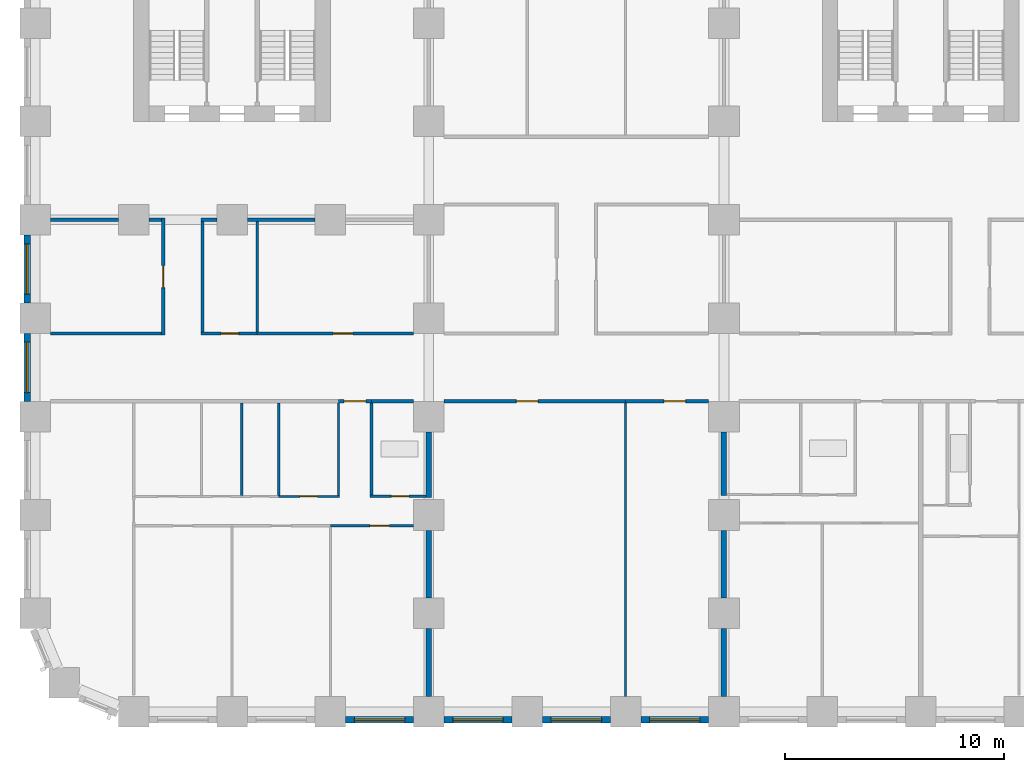
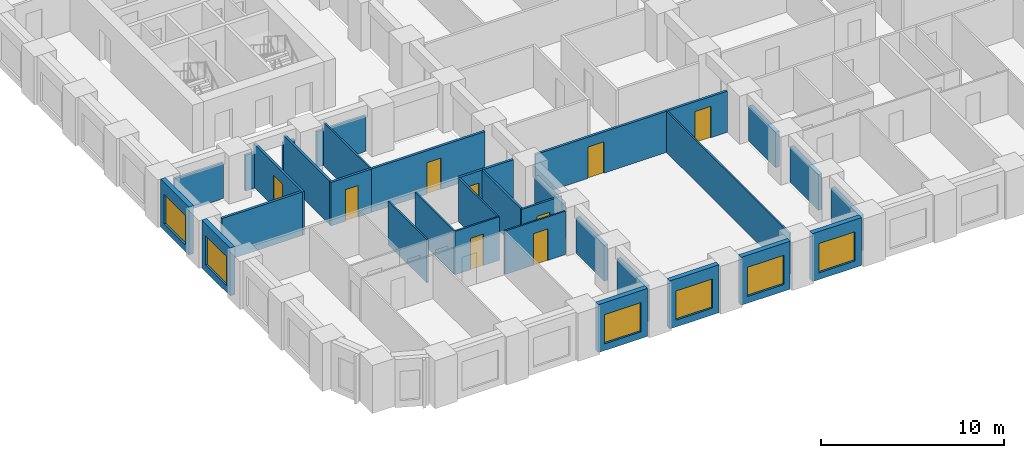
# One storey, part 3 of 13: 34 walls, 9 doors, 6 windows, 15 openings.
"""IFC4 building model written with IfcOpenShell, lengths in metres."""

from ifc_helpers import new_model, si_unit, direction, frame, frame_2d, origin, place, context, subcontext, project, spatial, rectangle, extrude, material, layer, layer_set, type_object, element, fill, save


model = new_model("IFC4")

# Units and contexts
model_context = context("Model", 3, precision=1e-05, world=origin(), true_north=direction((0.0, 1.0)))
body_context = subcontext(model_context, "Body", "Model", "MODEL_VIEW")
ifc_project = project(units=[si_unit("LENGTHUNIT", "METRE"), si_unit("AREAUNIT", "SQUARE_METRE"), si_unit("VOLUMEUNIT", "CUBIC_METRE"), si_unit("PLANEANGLEUNIT", "RADIAN"), si_unit("MASSUNIT", "GRAM", prefix="KILO")], contexts=[model_context])

# Site, building, storey
site_placement = place(None, origin())
site = spatial("IfcSite", under=ifc_project, at=site_placement, CompositionType="ELEMENT")
building_placement = place(site_placement, origin())
building = spatial("IfcBuilding", under=site, at=building_placement, Name="Girih Gate Residences", CompositionType="ELEMENT")
storey_placement = place(building_placement, frame((0.0, 0.0, 40.0)))
storey = spatial("IfcBuildingStorey", under=building, at=storey_placement, Name="L09", CompositionType="ELEMENT", Elevation=40.0)

# Walls
ifc_material_1 = material(Name="Gypsum board on steel studs", Category="steel")
ifc_layer_1 = layer(ifc_material_1, 0.25)
ifc_layer_set_1 = layer_set([ifc_layer_1], Name="Acoustic separating wall 250 mm")
wall_type_1 = type_object("IfcWallType", Name="Acoustic separating wall 250 mm", PredefinedType="PARTITIONING", material=ifc_layer_set_1)
wall_1_placement = place(storey_placement, frame((18.0, 9.78759765625, 0.0), z_axis=(0.0, 0.0, 1.0), x_axis=(0.0, 1.0, 0.0)))
element("IfcWall", 1, at=wall_1_placement, inside=storey, type_object=wall_type_1, Name="L09 partition", PredefinedType="PARTITIONING", context=body_context, shape_type="SweptSolid", body=[
    extrude(rectangle(XDim=3.012451171875, YDim=0.25, at=frame_2d((1.50634765625, 0.0))), origin(), (0.0, 0.0, 1.0), 2.3798828125),
])
for number, where, z_axis, x_axis, name in (
    (2, (18.0, 5.199951171875, 0.0), (0.0, 0.0, 1.0), (0.0, 1.0, 0.0), "L09 partition"),
    (3, (18.0, 0.699951171875, 0.0), (0.0, 0.0, 1.0), (0.0, 1.0, 0.0), "L09 partition"),
):
    element("IfcWall", number, at=place(storey_placement, frame(where, z_axis=z_axis, x_axis=x_axis)), inside=storey, type_object=wall_type_1, Name=name, PredefinedType="PARTITIONING", context=body_context, shape_type="SweptSolid", body=[
        extrude(rectangle(XDim=3.10009765625, YDim=0.25, at=frame_2d((1.550048828125, 0.0))), origin(), (0.0, 0.0, 1.0), 2.3798828125),
    ])
wall_2_placement = place(storey_placement, frame((31.5, 9.8798828125, 0.0), z_axis=(0.0, 0.0, 1.0), x_axis=(0.0, 1.0, 0.0)))
element("IfcWall", 4, at=wall_2_placement, inside=storey, type_object=wall_type_1, Name="L09 partition", PredefinedType="PARTITIONING", context=body_context, shape_type="SweptSolid", body=[
    extrude(rectangle(XDim=2.920166015625, YDim=0.25, at=frame_2d((1.4599609375, 0.0))), origin(), (0.0, 0.0, 1.0), 2.3798828125),
])
for number, where, z_axis, x_axis, name in (
    (5, (31.5, 0.699951171875, 0.0), (0.0, 0.0, 1.0), (0.0, 1.0, 0.0), "L09 partition"),
    (6, (31.5, 5.199951171875, 0.0), (0.0, 0.0, 1.0), (0.0, 1.0, 0.0), "L09 partition"),
):
    element("IfcWall", number, at=place(storey_placement, frame(where, z_axis=z_axis, x_axis=x_axis)), inside=storey, type_object=wall_type_1, Name=name, PredefinedType="PARTITIONING", context=body_context, shape_type="SweptSolid", body=[
        extrude(rectangle(XDim=3.10009765625, YDim=0.25, at=frame_2d((1.550048828125, 0.0))), origin(), (0.0, 0.0, 1.0), 2.3798828125),
    ])
ifc_layer_2 = layer(ifc_material_1, 0.14990234375)
ifc_layer_set_2 = layer_set([ifc_layer_2], Name="Compartment wall 150 mm")
wall_type_2 = type_object("IfcWallType", Name="Compartment wall 150 mm", PredefinedType="PARTITIONING", material=ifc_layer_set_2)
wall_3_placement = place(storey_placement, frame((15.375, 14.199951171875, 0.0), z_axis=(0.0, 0.0, 1.0), x_axis=(1.0, 0.0, 0.0)))
element("IfcWall", 7, at=wall_3_placement, inside=storey, type_object=wall_type_2, Name="L09 partition", PredefinedType="PARTITIONING", context=body_context, shape_type="SweptSolid", body=[
    extrude(rectangle(XDim=1.925048828125, YDim=0.14990234375, at=frame_2d((0.96240234375, 0.0))), origin(), (0.0, 0.0, 1.0), 2.89990234375),
])

# Wall, opening, door
wall_4_placement = place(storey_placement, frame((15.375, 14.199951171875, 0.0), z_axis=(0.0, 0.0, 1.0), x_axis=(-1.0, 0.0, 0.0)))
wall_4 = element("IfcWall", 8, at=wall_4_placement, inside=storey, type_object=wall_type_2, Name="L09 partition", PredefinedType="PARTITIONING", context=body_context, shape_type="SweptSolid", body=[
    extrude(rectangle(XDim=1.5, YDim=0.14990234375, at=frame_2d((0.75, 0.0))), origin(), (0.0, 0.0, 1.0), 2.89990234375),
])
opening_1_placement = place(wall_4_placement, frame((0.25, 0.0, 0.0)))
opening_1 = element("IfcOpeningElement", 9, at=opening_1_placement, cuts=wall_4, Name="Opening A09-010", PredefinedType="OPENING", context=body_context, shape_type="SweptSolid", body=[
    extrude(rectangle(XDim=1.0, YDim=2.10009765625, at=frame_2d((0.5, 1.050048828125))), frame((0.0, 0.0849609375, 0.0), z_axis=(0.0, -1.0, 0.0), x_axis=(1.0, 0.0, 0.0)), (0.0, 0.0, 1.0), 0.169921875),
])
ifc_material_2 = material(Name="Timber, fire-rated core", Category="wood")
door_type_1 = type_object("IfcDoorType", Name="Flat entrance door 1000x2100 FD30S", OperationType="NOTDEFINED", PredefinedType="DOOR", material=ifc_material_2)
door_1_placement = place(opening_1_placement, origin())
door_1 = element("IfcDoor", 10, at=door_1_placement, inside=storey, type_object=door_type_1, Name="Door A09-010", OperationType="SINGLE_SWING_RIGHT", OverallHeight=2.10009765625, OverallWidth=1.0, PredefinedType="DOOR", context=body_context, shape_type="SweptSolid", body=[
    extrude(rectangle(XDim=1.0, YDim=2.10009765625, at=frame_2d((0.5, 1.050048828125))), frame((0.0, 0.02490234375, 0.0), z_axis=(0.0, -1.0, 0.0), x_axis=(1.0, 0.0, 0.0)), (0.0, 0.0, 1.0), 0.050048828125),
])
fill(opening_1, door_1)

wall_5_placement = place(storey_placement, frame((27.0, 14.199951171875, 0.0), z_axis=(0.0, 0.0, 1.0), x_axis=(-1.0, 0.0, 0.0)))
wall_5 = element("IfcWall", 11, at=wall_5_placement, inside=storey, type_object=wall_type_2, Name="L09 partition", PredefinedType="PARTITIONING", context=body_context, shape_type="SweptSolid", body=[
    extrude(rectangle(XDim=8.300048828125, YDim=0.14990234375, at=frame_2d((4.14990234375, 0.0))), origin(), (0.0, 0.0, 1.0), 2.75),
])
opening_2_placement = place(wall_5_placement, frame((4.0, 0.0, 0.0)))
opening_2 = element("IfcOpeningElement", 12, at=opening_2_placement, cuts=wall_5, Name="Opening A09-049", PredefinedType="OPENING", context=body_context, shape_type="SweptSolid", body=[
    extrude(rectangle(XDim=1.0, YDim=2.10009765625, at=frame_2d((0.5, 1.050048828125))), frame((0.0, 0.0849609375, 0.0), z_axis=(0.0, -1.0, 0.0), x_axis=(1.0, 0.0, 0.0)), (0.0, 0.0, 1.0), 0.169921875),
])
door_type_2 = type_object("IfcDoorType", Name="Amenity room door 1000x2100 FD30S", OperationType="NOTDEFINED", PredefinedType="DOOR", material=ifc_material_2)
door_2_placement = place(opening_2_placement, origin())
door_2 = element("IfcDoor", 13, at=door_2_placement, inside=storey, type_object=door_type_2, Name="Door A09-049", OperationType="SINGLE_SWING_RIGHT", OverallHeight=2.10009765625, OverallWidth=1.0, PredefinedType="DOOR", context=body_context, shape_type="SweptSolid", body=[
    extrude(rectangle(XDim=1.0, YDim=2.10009765625, at=frame_2d((0.5, 1.050048828125))), frame((0.0, 0.02490234375, 0.0), z_axis=(0.0, -1.0, 0.0), x_axis=(1.0, 0.0, 0.0)), (0.0, 0.0, 1.0), 0.050048828125),
])
fill(opening_2, door_2)

wall_6_placement = place(storey_placement, frame((30.800048828125, 14.199951171875, 0.0), z_axis=(0.0, 0.0, 1.0), x_axis=(-1.0, 0.0, 0.0)))
wall_6 = element("IfcWall", 14, at=wall_6_placement, inside=storey, type_object=wall_type_2, Name="L09 partition", PredefinedType="PARTITIONING", context=body_context, shape_type="SweptSolid", body=[
    extrude(rectangle(XDim=3.800048828125, YDim=0.14990234375, at=frame_2d((1.89990234375, 0.0))), origin(), (0.0, 0.0, 1.0), 2.75),
])
opening_3_placement = place(wall_6_placement, frame((1.050048828125, 0.0, 0.0)))
opening_3 = element("IfcOpeningElement", 15, at=opening_3_placement, cuts=wall_6, Name="Opening A09-050", PredefinedType="OPENING", context=body_context, shape_type="SweptSolid", body=[
    extrude(rectangle(XDim=1.0, YDim=2.10009765625, at=frame_2d((0.5, 1.050048828125))), frame((0.0, 0.0849609375, 0.0), z_axis=(0.0, -1.0, 0.0), x_axis=(1.0, 0.0, 0.0)), (0.0, 0.0, 1.0), 0.169921875),
])
door_3_placement = place(opening_3_placement, origin())
door_3 = element("IfcDoor", 16, at=door_3_placement, inside=storey, type_object=door_type_2, Name="Door A09-050", OperationType="SINGLE_SWING_LEFT", OverallHeight=2.10009765625, OverallWidth=1.0, PredefinedType="DOOR", context=body_context, shape_type="SweptSolid", body=[
    extrude(rectangle(XDim=1.0, YDim=2.10009765625, at=frame_2d((0.5, 1.050048828125))), frame((0.0, 0.02490234375, 0.0), z_axis=(0.0, -1.0, 0.0), x_axis=(1.0, 0.0, 0.0)), (0.0, 0.0, 1.0), 0.050048828125),
])
fill(opening_3, door_3)

wall_7_placement = place(storey_placement, frame((10.14990234375, 17.300048828125, 0.0), z_axis=(0.0, 0.0, 1.0), x_axis=(1.0, 0.0, 0.0)))
wall_7 = element("IfcWall", 17, at=wall_7_placement, inside=storey, type_object=wall_type_2, Name="L09 partition", PredefinedType="PARTITIONING", context=body_context, shape_type="SweptSolid", body=[
    extrude(rectangle(XDim=7.150146484375, YDim=0.14990234375, at=frame_2d((3.5751953125, 0.0))), origin(), (0.0, 0.0, 1.0), 2.89990234375),
])
opening_4_placement = place(wall_7_placement, frame((3.47509765625, 0.0, 0.0)))
opening_4 = element("IfcOpeningElement", 18, at=opening_4_placement, cuts=wall_7, Name="Opening A09-054", PredefinedType="OPENING", context=body_context, shape_type="SweptSolid", body=[
    extrude(rectangle(XDim=0.89990234375, YDim=2.10009765625, at=frame_2d((0.449951171875, 1.050048828125))), frame((0.0, 0.0849609375, 0.0), z_axis=(0.0, -1.0, 0.0), x_axis=(1.0, 0.0, 0.0)), (0.0, 0.0, 1.0), 0.169921875),
])
ifc_material_3 = material(Name="Timber", Category="wood")
door_type_3 = type_object("IfcDoorType", Name="Service room door 900x2100", OperationType="NOTDEFINED", PredefinedType="DOOR", material=ifc_material_3)
door_4_placement = place(opening_4_placement, origin())
door_4 = element("IfcDoor", 19, at=door_4_placement, inside=storey, type_object=door_type_3, Name="Door A09-054", OperationType="SINGLE_SWING_RIGHT", OverallHeight=2.10009765625, OverallWidth=0.89990234375, PredefinedType="DOOR", context=body_context, shape_type="SweptSolid", body=[
    extrude(rectangle(XDim=0.89990234375, YDim=2.10009765625, at=frame_2d((0.449951171875, 1.050048828125))), frame((0.0, 0.02490234375, 0.0), z_axis=(0.0, -1.0, 0.0), x_axis=(1.0, 0.0, 0.0)), (0.0, 0.0, 1.0), 0.050048828125),
])
fill(opening_4, door_4)

wall_8_placement = place(storey_placement, frame((7.574951171875, 17.300048828125, 0.0), z_axis=(0.0, 0.0, 1.0), x_axis=(1.0, 0.0, 0.0)))
wall_8 = element("IfcWall", 20, at=wall_8_placement, inside=storey, type_object=wall_type_2, Name="L09 partition", PredefinedType="PARTITIONING", context=body_context, shape_type="SweptSolid", body=[
    extrude(rectangle(XDim=2.574951171875, YDim=0.14990234375, at=frame_2d((1.28759765625, 0.0))), origin(), (0.0, 0.0, 1.0), 2.89990234375),
])
opening_5_placement = place(wall_8_placement, frame((0.925048828125, 0.0, 0.0)))
opening_5 = element("IfcOpeningElement", 21, at=opening_5_placement, cuts=wall_8, Name="Opening A09-056", PredefinedType="OPENING", context=body_context, shape_type="SweptSolid", body=[
    extrude(rectangle(XDim=0.800048828125, YDim=2.10009765625, at=frame_2d((0.39990234375, 1.050048828125))), frame((0.0, 0.0849609375, 0.0), z_axis=(0.0, -1.0, 0.0), x_axis=(1.0, 0.0, 0.0)), (0.0, 0.0, 1.0), 0.169921875),
])
door_type_4 = type_object("IfcDoorType", Name="Bathroom door 800x2100", OperationType="NOTDEFINED", PredefinedType="DOOR", material=ifc_material_3)
door_5_placement = place(opening_5_placement, origin())
door_5 = element("IfcDoor", 22, at=door_5_placement, inside=storey, type_object=door_type_4, Name="Door A09-056", OperationType="SINGLE_SWING_RIGHT", OverallHeight=2.10009765625, OverallWidth=0.800048828125, PredefinedType="DOOR", context=body_context, shape_type="SweptSolid", body=[
    extrude(rectangle(XDim=0.800048828125, YDim=2.10009765625, at=frame_2d((0.39990234375, 1.050048828125))), frame((0.0, 0.02490234375, 0.0), z_axis=(0.0, -1.0, 0.0), x_axis=(1.0, 0.0, 0.0)), (0.0, 0.0, 1.0), 0.050048828125),
])
fill(opening_5, door_5)

# Walls
wall_9_placement = place(storey_placement, frame((0.699951171875, 17.300048828125, 0.0), z_axis=(0.0, 0.0, 1.0), x_axis=(1.0, 0.0, 0.0)))
element("IfcWall", 23, at=wall_9_placement, inside=storey, type_object=wall_type_2, Name="L09 partition", PredefinedType="PARTITIONING", context=body_context, shape_type="SweptSolid", body=[
    extrude(rectangle(XDim=5.074951171875, YDim=0.14990234375, at=frame_2d((2.53759765625, 0.0))), origin(), (0.0, 0.0, 1.0), 2.89990234375),
])
wall_10_placement = place(storey_placement, frame((9.699951171875, 22.5, 0.0), z_axis=(0.0, 0.0, 1.0), x_axis=(1.0, 0.0, 0.0)))
element("IfcWall", 24, at=wall_10_placement, inside=storey, type_object=wall_type_2, Name="L09 partition", PredefinedType="PARTITIONING", context=body_context, shape_type="SweptSolid", body=[
    extrude(rectangle(XDim=3.10009765625, YDim=0.14990234375, at=frame_2d((1.550048828125, 0.0))), origin(), (0.0, 0.0, 1.0), 2.3798828125),
])
wall_11_placement = place(storey_placement, frame((7.574951171875, 22.5, 0.0), z_axis=(0.0, 0.0, 1.0), x_axis=(1.0, 0.0, 0.0)))
element("IfcWall", 25, at=wall_11_placement, inside=storey, type_object=wall_type_2, Name="L09 partition", PredefinedType="PARTITIONING", context=body_context, shape_type="SweptSolid", body=[
    extrude(rectangle(XDim=0.72509765625, YDim=0.14990234375, at=frame_2d((0.362548828125, 0.0))), origin(), (0.0, 0.0, 1.0), 2.3798828125),
])
wall_12_placement = place(storey_placement, frame((5.199951171875, 22.5, 0.0), z_axis=(0.0, 0.0, 1.0), x_axis=(1.0, 0.0, 0.0)))
element("IfcWall", 26, at=wall_12_placement, inside=storey, type_object=wall_type_2, Name="L09 partition", PredefinedType="PARTITIONING", context=body_context, shape_type="SweptSolid", body=[
    extrude(rectangle(XDim=0.574951171875, YDim=0.14990234375, at=frame_2d((0.28759765625, 0.0))), origin(), (0.0, 0.0, 1.0), 2.3798828125),
])
wall_13_placement = place(storey_placement, frame((0.699951171875, 22.5, 0.0), z_axis=(0.0, 0.0, 1.0), x_axis=(1.0, 0.0, 0.0)))
element("IfcWall", 27, at=wall_13_placement, inside=storey, type_object=wall_type_2, Name="L09 partition", PredefinedType="PARTITIONING", context=body_context, shape_type="SweptSolid", body=[
    extrude(rectangle(XDim=3.10009765625, YDim=0.14990234375, at=frame_2d((1.550048828125, 0.0))), origin(), (0.0, 0.0, 1.0), 2.3798828125),
])
wall_14_placement = place(storey_placement, frame((7.64990234375, 17.375, 0.0), z_axis=(0.0, 0.0, 1.0), x_axis=(0.0, 1.0, 0.0)))
element("IfcWall", 28, at=wall_14_placement, inside=storey, type_object=wall_type_2, Name="L09 partition", PredefinedType="PARTITIONING", context=body_context, shape_type="SweptSolid", body=[
    extrude(rectangle(XDim=5.050048828125, YDim=0.14990234375, at=frame_2d((2.52490234375, 0.0))), origin(), (0.0, 0.0, 1.0), 2.89990234375),
])

# Wall, opening, door
wall_15_placement = place(storey_placement, frame((5.85009765625, 17.22509765625, 0.0), z_axis=(0.0, 0.0, 1.0), x_axis=(0.0, 1.0, 0.0)))
wall_15 = element("IfcWall", 29, at=wall_15_placement, inside=storey, type_object=wall_type_2, Name="L09 partition", PredefinedType="PARTITIONING", context=body_context, shape_type="SweptSolid", body=[
    extrude(rectangle(XDim=5.349853515625, YDim=0.14990234375, at=frame_2d((2.6748046875, 0.0))), origin(), (0.0, 0.0, 1.0), 2.89990234375),
])
opening_6_placement = place(wall_15_placement, frame((2.175048828125, 0.0, 0.0)))
opening_6 = element("IfcOpeningElement", 30, at=opening_6_placement, cuts=wall_15, Name="Opening A09-058", PredefinedType="OPENING", context=body_context, shape_type="SweptSolid", body=[
    extrude(rectangle(XDim=1.0, YDim=2.10009765625, at=frame_2d((0.5, 1.050048828125))), frame((0.0, 0.0849609375, 0.0), z_axis=(0.0, -1.0, 0.0), x_axis=(1.0, 0.0, 0.0)), (0.0, 0.0, 1.0), 0.169921875),
])
door_6_placement = place(opening_6_placement, origin())
door_6 = element("IfcDoor", 31, at=door_6_placement, inside=storey, type_object=door_type_2, Name="Door A09-058", OperationType="SINGLE_SWING_LEFT", OverallHeight=2.10009765625, OverallWidth=1.0, PredefinedType="DOOR", context=body_context, shape_type="SweptSolid", body=[
    extrude(rectangle(XDim=1.0, YDim=2.10009765625, at=frame_2d((0.5, 1.050048828125))), frame((0.0, 0.02490234375, 0.0), z_axis=(0.0, -1.0, 0.0), x_axis=(1.0, 0.0, 0.0)), (0.0, 0.0, 1.0), 0.050048828125),
])
fill(opening_6, door_6)

ifc_layer_3 = layer(ifc_material_1, 0.10009765625)
ifc_layer_set_3 = layer_set([ifc_layer_3], Name="Partition 100 mm")
wall_type_3 = type_object("IfcWallType", Name="Partition 100 mm", PredefinedType="PARTITIONING", material=ifc_layer_set_3)
wall_16_placement = place(storey_placement, frame((17.300048828125, 8.510009765625, 0.0), z_axis=(0.0, 0.0, 1.0), x_axis=(-1.0, 0.0, 0.0)))
wall_16 = element("IfcWall", 32, at=wall_16_placement, inside=storey, type_object=wall_type_3, Name="L09 partition", PredefinedType="PARTITIONING", context=body_context, shape_type="SweptSolid", body=[
    extrude(rectangle(XDim=3.800048828125, YDim=0.10009765625, at=frame_2d((1.89990234375, 0.0))), origin(), (0.0, 0.0, 1.0), 2.89990234375),
])
opening_7_placement = place(wall_16_placement, frame((1.10009765625, 0.0, 0.0)))
opening_7 = element("IfcOpeningElement", 33, at=opening_7_placement, cuts=wall_16, Name="Opening A09-004", PredefinedType="OPENING", context=body_context, shape_type="SweptSolid", body=[
    extrude(rectangle(XDim=0.89990234375, YDim=2.10009765625, at=frame_2d((0.449951171875, 1.050048828125))), frame((0.0, 0.06005859375, 0.0), z_axis=(0.0, -1.0, 0.0), x_axis=(1.0, 0.0, 0.0)), (0.0, 0.0, 1.0), 0.1201171875),
])
door_type_5 = type_object("IfcDoorType", Name="Bedroom door 900x2100", OperationType="NOTDEFINED", PredefinedType="DOOR", material=ifc_material_3)
door_7_placement = place(opening_7_placement, origin())
door_7 = element("IfcDoor", 34, at=door_7_placement, inside=storey, type_object=door_type_5, Name="Door A09-004", OperationType="SINGLE_SWING_LEFT", OverallHeight=2.10009765625, OverallWidth=0.89990234375, PredefinedType="DOOR", context=body_context, shape_type="SweptSolid", body=[
    extrude(rectangle(XDim=0.89990234375, YDim=2.10009765625, at=frame_2d((0.449951171875, 1.050048828125))), frame((0.0, 0.02490234375, 0.0), z_axis=(0.0, -1.0, 0.0), x_axis=(1.0, 0.0, 0.0)), (0.0, 0.0, 1.0), 0.050048828125),
])
fill(opening_7, door_7)

# Wall
wall_17_placement = place(storey_placement, frame((13.875, 9.89990234375, 0.0), z_axis=(0.0, 0.0, 1.0), x_axis=(0.0, 1.0, 0.0)))
element("IfcWall", 35, at=wall_17_placement, inside=storey, type_object=wall_type_3, Name="L09 partition", PredefinedType="PARTITIONING", context=body_context, shape_type="SweptSolid", body=[
    extrude(rectangle(XDim=4.22509765625, YDim=0.10009765625, at=frame_2d((2.112548828125, 0.0))), origin(), (0.0, 0.0, 1.0), 2.89990234375),
])

# Wall, opening, door
wall_18_placement = place(storey_placement, frame((11.1318359375, 9.85009765625, 0.0), z_axis=(0.0, 0.0, 1.0), x_axis=(1.0, 0.0, 0.0)))
wall_18 = element("IfcWall", 36, at=wall_18_placement, inside=storey, type_object=wall_type_3, Name="L09 partition", PredefinedType="PARTITIONING", context=body_context, shape_type="SweptSolid", body=[
    extrude(rectangle(XDim=2.793212890625, YDim=0.10009765625, at=frame_2d((1.396484375, 0.0))), origin(), (0.0, 0.0, 1.0), 2.89990234375),
])
opening_8_placement = place(wall_18_placement, frame((0.9716796875, 0.0, 0.0)))
opening_8 = element("IfcOpeningElement", 37, at=opening_8_placement, cuts=wall_18, Name="Opening A09-005", PredefinedType="OPENING", context=body_context, shape_type="SweptSolid", body=[
    extrude(rectangle(XDim=0.800048828125, YDim=2.10009765625, at=frame_2d((0.39990234375, 1.050048828125))), frame((0.0, 0.06005859375, 0.0), z_axis=(0.0, -1.0, 0.0), x_axis=(1.0, 0.0, 0.0)), (0.0, 0.0, 1.0), 0.1201171875),
])
door_type_6 = type_object("IfcDoorType", Name="Store door 800x2100", OperationType="NOTDEFINED", PredefinedType="DOOR", material=ifc_material_3)
door_8_placement = place(opening_8_placement, origin())
door_8 = element("IfcDoor", 38, at=door_8_placement, inside=storey, type_object=door_type_6, Name="Door A09-005", OperationType="SINGLE_SWING_LEFT", OverallHeight=2.10009765625, OverallWidth=0.800048828125, PredefinedType="DOOR", context=body_context, shape_type="SweptSolid", body=[
    extrude(rectangle(XDim=0.800048828125, YDim=2.10009765625, at=frame_2d((0.39990234375, 1.050048828125))), frame((0.0, 0.02490234375, 0.0), z_axis=(0.0, -1.0, 0.0), x_axis=(1.0, 0.0, 0.0)), (0.0, 0.0, 1.0), 0.050048828125),
])
fill(opening_8, door_8)

# Walls
for number, where, z_axis, x_axis, name in (
    (39, (11.132080078125, 9.89990234375, 0.0), (0.0, 0.0, 1.0), (0.0, 1.0, 0.0), "L09 partition"),
    (40, (9.44189453125, 9.89990234375, 0.0), (0.0, 0.0, 1.0), (0.0, 1.0, 0.0), "L09 partition"),
):
    element("IfcWall", number, at=place(storey_placement, frame(where, z_axis=z_axis, x_axis=x_axis)), inside=storey, type_object=wall_type_3, Name=name, PredefinedType="PARTITIONING", context=body_context, shape_type="SweptSolid", body=[
        extrude(rectangle(XDim=4.22509765625, YDim=0.10009765625, at=frame_2d((2.112548828125, 0.0))), origin(), (0.0, 0.0, 1.0), 2.89990234375),
    ])
wall_19_placement = place(storey_placement, frame((27.0, 0.699951171875, 0.0), z_axis=(0.0, 0.0, 1.0), x_axis=(0.0, 1.0, 0.0)))
element("IfcWall", 41, at=wall_19_placement, inside=storey, type_object=wall_type_3, Name="L09 partition", PredefinedType="PARTITIONING", context=body_context, shape_type="SweptSolid", body=[
    extrude(rectangle(XDim=13.425048828125, YDim=0.10009765625, at=frame_2d((6.71240234375, 0.0))), origin(), (0.0, 0.0, 1.0), 2.75),
])
wall_20_placement = place(storey_placement, frame((10.14990234375, 17.375, 0.0), z_axis=(0.0, 0.0, 1.0), x_axis=(0.0, 1.0, 0.0)))
element("IfcWall", 42, at=wall_20_placement, inside=storey, type_object=wall_type_3, Name="L09 partition", PredefinedType="PARTITIONING", context=body_context, shape_type="SweptSolid", body=[
    extrude(rectangle(XDim=5.050048828125, YDim=0.10009765625, at=frame_2d((2.52490234375, 0.0))), origin(), (0.0, 0.0, 1.0), 2.89990234375),
])

# Wall, opening, window
ifc_material_4 = material(Name="Precast concrete C50/60", Category="concrete")
ifc_layer_4 = layer(ifc_material_4, 0.080078125, Name="Outer leaf")
ifc_material_5 = material(Name="Rigid PIR insulation")
ifc_layer_5 = layer(ifc_material_5, 0.14990234375, Name="Insulation")
ifc_material_6 = material(Name="Precast concrete C40/50", Category="concrete")
ifc_layer_6 = layer(ifc_material_6, 0.070068359375, Name="Inner leaf")
ifc_layer_set_4 = layer_set([ifc_layer_4, ifc_layer_5, ifc_layer_6], Name="Precast concrete C50/60 external wall 300")
wall_type_4 = type_object("IfcWallType", Name="Precast concrete C50/60 external wall 300", PredefinedType="SOLIDWALL", material=ifc_layer_set_4)
wall_21_placement = place(storey_placement, frame((17.300048828125, -0.375, 0.0), z_axis=(0.0, 0.0, 1.0), x_axis=(-1.0, 0.0, 0.0)))
wall_21 = element("IfcWall", 43, at=wall_21_placement, inside=storey, type_object=wall_type_4, Name="External wall S0045_0000.2", PredefinedType="SOLIDWALL", context=body_context, shape_type="SweptSolid", body=[
    extrude(rectangle(XDim=3.10009765625, YDim=0.300048828125, at=frame_2d((1.550048828125, 0.0))), origin(), (0.0, 0.0, 1.0), 3.199951171875),
])
opening_9_placement = place(wall_21_placement, frame((0.39990234375, 0.0, 0.449951171875)))
opening_9 = element("IfcOpeningElement", 44, at=opening_9_placement, cuts=wall_21, Name="Opening W-1", PredefinedType="OPENING", context=body_context, shape_type="SweptSolid", body=[
    extrude(rectangle(XDim=2.300048828125, YDim=1.949951171875, at=frame_2d((1.14990234375, 0.97509765625))), frame((0.0, 0.159912109375, 0.0), z_axis=(0.0, -1.0, 0.0), x_axis=(1.0, 0.0, 0.0)), (0.0, 0.0, 1.0), 0.320068359375),
])
ifc_material_7 = material(Name="Double glazing in aluminium frame", Category="aluminium")
window_type = type_object("IfcWindowType", Name="Window W-1 2300x1950", PartitioningType="SINGLE_PANEL", PredefinedType="WINDOW", material=ifc_material_7)
window_1_placement = place(opening_9_placement, origin())
window_1 = element("IfcWindow", 45, at=window_1_placement, inside=storey, type_object=window_type, Name="Window W-1 S0045_0000.2", OverallHeight=1.949951171875, OverallWidth=2.300048828125, PartitioningType="SINGLE_PANEL", PredefinedType="WINDOW", context=body_context, shape_type="SweptSolid", body=[
    extrude(rectangle(XDim=2.300048828125, YDim=1.949951171875, at=frame_2d((1.14990234375, 0.97509765625))), frame((0.0, 0.030029296875, 0.0), z_axis=(0.0, -1.0, 0.0), x_axis=(1.0, 0.0, 0.0)), (0.0, 0.0, 1.0), 0.06005859375),
])
fill(opening_9, window_1)

wall_22_placement = place(storey_placement, frame((21.800048828125, -0.375, 0.0), z_axis=(0.0, 0.0, 1.0), x_axis=(-1.0, 0.0, 0.0)))
wall_22 = element("IfcWall", 46, at=wall_22_placement, inside=storey, type_object=wall_type_4, Name="External wall S0045_0000.3", PredefinedType="SOLIDWALL", context=body_context, shape_type="SweptSolid", body=[
    extrude(rectangle(XDim=3.10009765625, YDim=0.300048828125, at=frame_2d((1.550048828125, 0.0))), origin(), (0.0, 0.0, 1.0), 3.199951171875),
])
opening_10_placement = place(wall_22_placement, frame((0.39990234375, 0.0, 0.449951171875)))
opening_10 = element("IfcOpeningElement", 47, at=opening_10_placement, cuts=wall_22, Name="Opening W-1", PredefinedType="OPENING", context=body_context, shape_type="SweptSolid", body=[
    extrude(rectangle(XDim=2.300048828125, YDim=1.949951171875, at=frame_2d((1.14990234375, 0.97509765625))), frame((0.0, 0.159912109375, 0.0), z_axis=(0.0, -1.0, 0.0), x_axis=(1.0, 0.0, 0.0)), (0.0, 0.0, 1.0), 0.320068359375),
])
window_2_placement = place(opening_10_placement, origin())
window_2 = element("IfcWindow", 48, at=window_2_placement, inside=storey, type_object=window_type, Name="Window W-1 S0045_0000.3", OverallHeight=1.949951171875, OverallWidth=2.300048828125, PartitioningType="SINGLE_PANEL", PredefinedType="WINDOW", context=body_context, shape_type="SweptSolid", body=[
    extrude(rectangle(XDim=2.300048828125, YDim=1.949951171875, at=frame_2d((1.14990234375, 0.97509765625))), frame((0.0, 0.030029296875, 0.0), z_axis=(0.0, -1.0, 0.0), x_axis=(1.0, 0.0, 0.0)), (0.0, 0.0, 1.0), 0.06005859375),
])
fill(opening_10, window_2)

wall_23_placement = place(storey_placement, frame((26.300048828125, -0.375, 0.0), z_axis=(0.0, 0.0, 1.0), x_axis=(-1.0, 0.0, 0.0)))
wall_23 = element("IfcWall", 49, at=wall_23_placement, inside=storey, type_object=wall_type_4, Name="External wall S0045_0000.4", PredefinedType="SOLIDWALL", context=body_context, shape_type="SweptSolid", body=[
    extrude(rectangle(XDim=3.10009765625, YDim=0.300048828125, at=frame_2d((1.550048828125, 0.0))), origin(), (0.0, 0.0, 1.0), 3.199951171875),
])
opening_11_placement = place(wall_23_placement, frame((0.39990234375, 0.0, 0.449951171875)))
opening_11 = element("IfcOpeningElement", 50, at=opening_11_placement, cuts=wall_23, Name="Opening W-1", PredefinedType="OPENING", context=body_context, shape_type="SweptSolid", body=[
    extrude(rectangle(XDim=2.300048828125, YDim=1.949951171875, at=frame_2d((1.14990234375, 0.97509765625))), frame((0.0, 0.159912109375, 0.0), z_axis=(0.0, -1.0, 0.0), x_axis=(1.0, 0.0, 0.0)), (0.0, 0.0, 1.0), 0.320068359375),
])
window_3_placement = place(opening_11_placement, origin())
window_3 = element("IfcWindow", 51, at=window_3_placement, inside=storey, type_object=window_type, Name="Window W-1 S0045_0000.4", OverallHeight=1.949951171875, OverallWidth=2.300048828125, PartitioningType="SINGLE_PANEL", PredefinedType="WINDOW", context=body_context, shape_type="SweptSolid", body=[
    extrude(rectangle(XDim=2.300048828125, YDim=1.949951171875, at=frame_2d((1.14990234375, 0.97509765625))), frame((0.0, 0.030029296875, 0.0), z_axis=(0.0, -1.0, 0.0), x_axis=(1.0, 0.0, 0.0)), (0.0, 0.0, 1.0), 0.06005859375),
])
fill(opening_11, window_3)

wall_24_placement = place(storey_placement, frame((30.800048828125, -0.375, 0.0), z_axis=(0.0, 0.0, 1.0), x_axis=(-1.0, 0.0, 0.0)))
wall_24 = element("IfcWall", 52, at=wall_24_placement, inside=storey, type_object=wall_type_4, Name="External wall S0045_0000.5", PredefinedType="SOLIDWALL", context=body_context, shape_type="SweptSolid", body=[
    extrude(rectangle(XDim=3.10009765625, YDim=0.300048828125, at=frame_2d((1.550048828125, 0.0))), origin(), (0.0, 0.0, 1.0), 3.199951171875),
])
opening_12_placement = place(wall_24_placement, frame((0.39990234375, 0.0, 0.449951171875)))
opening_12 = element("IfcOpeningElement", 53, at=opening_12_placement, cuts=wall_24, Name="Opening W-1", PredefinedType="OPENING", context=body_context, shape_type="SweptSolid", body=[
    extrude(rectangle(XDim=2.300048828125, YDim=1.949951171875, at=frame_2d((1.14990234375, 0.97509765625))), frame((0.0, 0.159912109375, 0.0), z_axis=(0.0, -1.0, 0.0), x_axis=(1.0, 0.0, 0.0)), (0.0, 0.0, 1.0), 0.320068359375),
])
window_4_placement = place(opening_12_placement, origin())
window_4 = element("IfcWindow", 54, at=window_4_placement, inside=storey, type_object=window_type, Name="Window W-1 S0045_0000.5", OverallHeight=1.949951171875, OverallWidth=2.300048828125, PartitioningType="SINGLE_PANEL", PredefinedType="WINDOW", context=body_context, shape_type="SweptSolid", body=[
    extrude(rectangle(XDim=2.300048828125, YDim=1.949951171875, at=frame_2d((1.14990234375, 0.97509765625))), frame((0.0, 0.030029296875, 0.0), z_axis=(0.0, -1.0, 0.0), x_axis=(1.0, 0.0, 0.0)), (0.0, 0.0, 1.0), 0.06005859375),
])
fill(opening_12, window_4)

wall_25_placement = place(storey_placement, frame((-0.375, 18.699951171875, 0.0), z_axis=(0.0, 0.0, 1.0), x_axis=(0.0, 1.0, 0.0)))
wall_25 = element("IfcWall", 55, at=wall_25_placement, inside=storey, type_object=wall_type_4, Name="External wall W0000_0450.5", PredefinedType="SOLIDWALL", context=body_context, shape_type="SweptSolid", body=[
    extrude(rectangle(XDim=3.10009765625, YDim=0.300048828125, at=frame_2d((1.550048828125, 0.0))), origin(), (0.0, 0.0, 1.0), 3.199951171875),
])
opening_13_placement = place(wall_25_placement, frame((0.39990234375, 0.0, 0.449951171875)))
opening_13 = element("IfcOpeningElement", 56, at=opening_13_placement, cuts=wall_25, Name="Opening W-1", PredefinedType="OPENING", context=body_context, shape_type="SweptSolid", body=[
    extrude(rectangle(XDim=2.300048828125, YDim=1.949951171875, at=frame_2d((1.14990234375, 0.97509765625))), frame((0.0, 0.159912109375, 0.0), z_axis=(0.0, -1.0, 0.0), x_axis=(1.0, 0.0, 0.0)), (0.0, 0.0, 1.0), 0.320068359375),
])
window_5_placement = place(opening_13_placement, origin())
window_5 = element("IfcWindow", 57, at=window_5_placement, inside=storey, type_object=window_type, Name="Window W-1 W0000_0450.5", OverallHeight=1.949951171875, OverallWidth=2.300048828125, PartitioningType="SINGLE_PANEL", PredefinedType="WINDOW", context=body_context, shape_type="SweptSolid", body=[
    extrude(rectangle(XDim=2.300048828125, YDim=1.949951171875, at=frame_2d((1.14990234375, 0.97509765625))), frame((0.0, 0.030029296875, 0.0), z_axis=(0.0, -1.0, 0.0), x_axis=(1.0, 0.0, 0.0)), (0.0, 0.0, 1.0), 0.06005859375),
])
fill(opening_13, window_5)

wall_26_placement = place(storey_placement, frame((-0.375, 14.199951171875, 0.0), z_axis=(0.0, 0.0, 1.0), x_axis=(0.0, 1.0, 0.0)))
wall_26 = element("IfcWall", 58, at=wall_26_placement, inside=storey, type_object=wall_type_4, Name="External wall W0000_0450.6", PredefinedType="SOLIDWALL", context=body_context, shape_type="SweptSolid", body=[
    extrude(rectangle(XDim=3.10009765625, YDim=0.300048828125, at=frame_2d((1.550048828125, 0.0))), origin(), (0.0, 0.0, 1.0), 3.199951171875),
])
opening_14_placement = place(wall_26_placement, frame((0.39990234375, 0.0, 0.449951171875)))
opening_14 = element("IfcOpeningElement", 59, at=opening_14_placement, cuts=wall_26, Name="Opening W-1", PredefinedType="OPENING", context=body_context, shape_type="SweptSolid", body=[
    extrude(rectangle(XDim=2.300048828125, YDim=1.949951171875, at=frame_2d((1.14990234375, 0.97509765625))), frame((0.0, 0.159912109375, 0.0), z_axis=(0.0, -1.0, 0.0), x_axis=(1.0, 0.0, 0.0)), (0.0, 0.0, 1.0), 0.320068359375),
])
window_6_placement = place(opening_14_placement, origin())
window_6 = element("IfcWindow", 60, at=window_6_placement, inside=storey, type_object=window_type, Name="Window W-1 W0000_0450.6", OverallHeight=1.949951171875, OverallWidth=2.300048828125, PartitioningType="SINGLE_PANEL", PredefinedType="WINDOW", context=body_context, shape_type="SweptSolid", body=[
    extrude(rectangle(XDim=2.300048828125, YDim=1.949951171875, at=frame_2d((1.14990234375, 0.97509765625))), frame((0.0, 0.030029296875, 0.0), z_axis=(0.0, -1.0, 0.0), x_axis=(1.0, 0.0, 0.0)), (0.0, 0.0, 1.0), 0.06005859375),
])
fill(opening_14, window_6)

# Wall, opening, door
ifc_layer_7 = layer(ifc_material_1, 0.125)
ifc_layer_set_5 = layer_set([ifc_layer_7], Name="Wet room wall 125 mm")
wall_type_5 = type_object("IfcWallType", Name="Wet room wall 125 mm", PredefinedType="PARTITIONING", material=ifc_layer_set_5)
wall_27_placement = place(storey_placement, frame((15.3125, 9.85009765625, 0.0), z_axis=(0.0, 0.0, 1.0), x_axis=(1.0, 0.0, 0.0)))
wall_27 = element("IfcWall", 61, at=wall_27_placement, inside=storey, type_object=wall_type_5, Name="L09 partition", PredefinedType="PARTITIONING", context=body_context, shape_type="SweptSolid", body=[
    extrude(rectangle(XDim=2.5625, YDim=0.125, at=frame_2d((1.28125, 0.0))), origin(), (0.0, 0.0, 1.0), 2.89990234375),
])
opening_15_placement = place(wall_27_placement, frame((0.97509765625, 0.0, 0.0)))
opening_15 = element("IfcOpeningElement", 62, at=opening_15_placement, cuts=wall_27, Name="Opening A09-001", PredefinedType="OPENING", context=body_context, shape_type="SweptSolid", body=[
    extrude(rectangle(XDim=0.800048828125, YDim=2.10009765625, at=frame_2d((0.39990234375, 1.050048828125))), frame((0.0, 0.072509765625, 0.0), z_axis=(0.0, -1.0, 0.0), x_axis=(1.0, 0.0, 0.0)), (0.0, 0.0, 1.0), 0.14501953125),
])
door_9_placement = place(opening_15_placement, origin())
door_9 = element("IfcDoor", 63, at=door_9_placement, inside=storey, type_object=door_type_4, Name="Door A09-001", OperationType="SINGLE_SWING_RIGHT", OverallHeight=2.10009765625, OverallWidth=0.800048828125, PredefinedType="DOOR", context=body_context, shape_type="SweptSolid", body=[
    extrude(rectangle(XDim=0.800048828125, YDim=2.10009765625, at=frame_2d((0.39990234375, 1.050048828125))), frame((0.0, 0.02490234375, 0.0), z_axis=(0.0, -1.0, 0.0), x_axis=(1.0, 0.0, 0.0)), (0.0, 0.0, 1.0), 0.050048828125),
])
fill(opening_15, door_9)

# Wall
wall_28_placement = place(storey_placement, frame((15.375, 9.91259765625, 0.0), z_axis=(0.0, 0.0, 1.0), x_axis=(0.0, 1.0, 0.0)))
element("IfcWall", 64, at=wall_28_placement, inside=storey, type_object=wall_type_5, Name="L09 partition", PredefinedType="PARTITIONING", context=body_context, shape_type="SweptSolid", body=[
    extrude(rectangle(XDim=4.21240234375, YDim=0.125, at=frame_2d((2.106201171875, 0.0))), origin(), (0.0, 0.0, 1.0), 2.89990234375),
])

save(model, "model.ifc")
